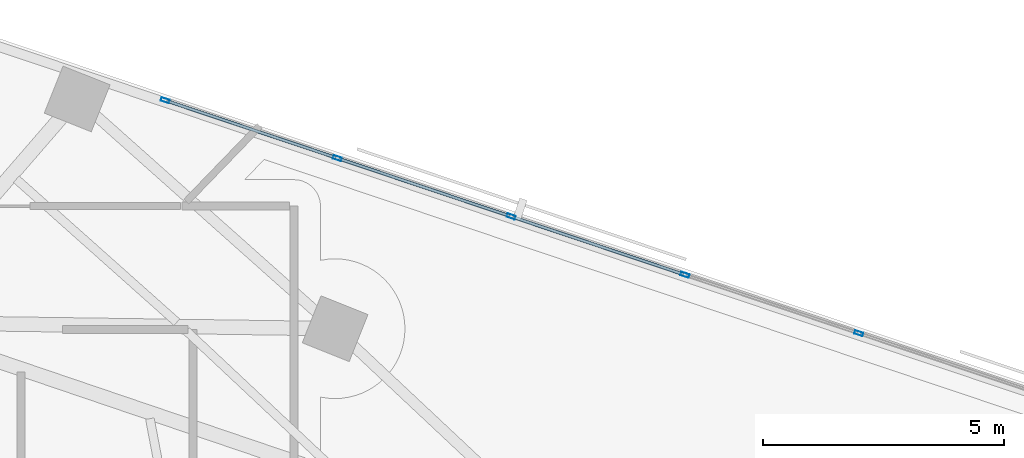
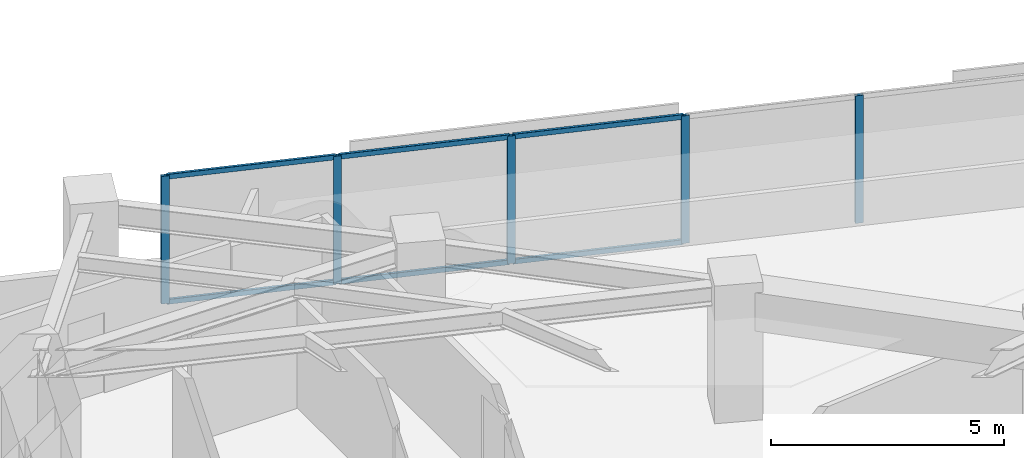
# One storey, part 4 of 13: 11 members, 1 element without a shape of its own.
"""IFC4 building model written with IfcOpenShell, lengths in metres."""

from ifc_helpers import new_model, si_unit, direction, frame, origin, origin_2d, place, context, subcontext, project, spatial, hollow_rectangle, extrude, material, material_profile, profile_set, type_object, element, aggregate, save


model = new_model("IFC4")

# Units and contexts
model_context = context("Model", 3, precision=1e-05, world=origin(), true_north=direction((0.0, 1.0)))
body_context = subcontext(model_context, "Body", "Model", "MODEL_VIEW")
ifc_project = project(units=[si_unit("LENGTHUNIT", "METRE"), si_unit("AREAUNIT", "SQUARE_METRE"), si_unit("VOLUMEUNIT", "CUBIC_METRE"), si_unit("PLANEANGLEUNIT", "RADIAN"), si_unit("MASSUNIT", "GRAM", prefix="KILO")], contexts=[model_context])

# Site, building, storey
site_placement = place(None, origin())
site = spatial("IfcSite", under=ifc_project, at=site_placement, CompositionType="ELEMENT")
building_placement = place(site_placement, origin())
building = spatial("IfcBuilding", under=site, at=building_placement, Name="Narakoshi Arena Tower", CompositionType="ELEMENT")
storey_placement = place(building_placement, frame((0.0, 0.0, 171.89990234375)))
storey = spatial("IfcBuildingStorey", under=building, at=storey_placement, Name="L46", CompositionType="ELEMENT", Elevation=171.89990234375)

# Curtain wall, members
ifc_material = material(Name="Anodised bronze aluminium 6063-T6", Category="aluminium")
curtain_wall_type = type_object("IfcCurtainWallType", Name="CW-HYP-MID", PredefinedType="NOTDEFINED", material=ifc_material)
curtain_wall_placement = place(storey_placement, origin())
curtain_wall = element("IfcCurtainWall", 1, at=curtain_wall_placement, inside=storey, type_object=curtain_wall_type, Name="L46 Folded Hypotenuse Curtain Wall 1-1", PredefinedType="NOTDEFINED")
ifc_material_profile_1 = material_profile(ifc_material, hollow_rectangle(XDim=0.074951171875, YDim=0.179931640625, WallThickness=0.00390625, OuterFilletRadius=0.0048828125, at=origin_2d()), Name="MUL180x75x4")
ifc_profile_set_1 = profile_set([ifc_material_profile_1], Name="Anodised bronze aluminium 6063-T6")
member_type_1 = type_object("IfcMemberType", Name="MEM-MUL-180", PredefinedType="MULLION", material=ifc_profile_set_1)
member_1_placement = place(storey_placement, frame((105.783447265625, 56.272705078125, 0.0), z_axis=(0.0, 0.0, 1.0), x_axis=(-0.318260960253, -0.948003144077, 0.0)))
member_1 = element("IfcMember", 2, at=member_1_placement, type_object=member_type_1, Name="CW-02 mullion 4", PredefinedType="MULLION", context=body_context, shape_type="SweptSolid", body=[
    extrude(hollow_rectangle(XDim=0.074951171875, YDim=0.179931640625, WallThickness=0.00390625, OuterFilletRadius=0.0048828125, at=origin_2d()), origin(), (0.0, 0.0, 1.0), 3.340087890625),
])
member_2_placement = place(storey_placement, frame((102.176025390625, 57.48388671875, 0.0), z_axis=(0.0, 0.0, 1.0), x_axis=(-0.318260960253, -0.948003144077, 0.0)))
member_2 = element("IfcMember", 3, at=member_2_placement, type_object=member_type_1, Name="CW-02 mullion 5", PredefinedType="MULLION", context=body_context, shape_type="SweptSolid", body=[
    extrude(hollow_rectangle(XDim=0.074951171875, YDim=0.179931640625, WallThickness=0.00390625, OuterFilletRadius=0.0048828125, at=origin_2d()), origin(), (0.0, 0.0, 1.0), 3.340087890625),
])
member_3_placement = place(storey_placement, frame((98.568359375, 58.695068359375, 0.0), z_axis=(0.0, 0.0, 1.0), x_axis=(-0.318260960253, -0.948003144077, 0.0)))
member_3 = element("IfcMember", 4, at=member_3_placement, type_object=member_type_1, Name="CW-02 mullion 6", PredefinedType="MULLION", context=body_context, shape_type="SweptSolid", body=[
    extrude(hollow_rectangle(XDim=0.074951171875, YDim=0.179931640625, WallThickness=0.00390625, OuterFilletRadius=0.0048828125, at=origin_2d()), origin(), (0.0, 0.0, 1.0), 3.340087890625),
])
member_4_placement = place(storey_placement, frame((94.960693359375, 59.90625, 0.0), z_axis=(0.0, 0.0, 1.0), x_axis=(-0.318260960253, -0.948003144077, 0.0)))
member_4 = element("IfcMember", 5, at=member_4_placement, type_object=member_type_1, Name="CW-02 mullion 7", PredefinedType="MULLION", context=body_context, shape_type="SweptSolid", body=[
    extrude(hollow_rectangle(XDim=0.074951171875, YDim=0.179931640625, WallThickness=0.00390625, OuterFilletRadius=0.0048828125, at=origin_2d()), origin(), (0.0, 0.0, 1.0), 3.340087890625),
])
member_5_placement = place(storey_placement, frame((91.388671875, 61.10546875, 0.0), z_axis=(0.0, 0.0, 1.0), x_axis=(-0.318260960253, -0.948003144077, 0.0)))
member_5 = element("IfcMember", 6, at=member_5_placement, type_object=member_type_1, Name="CW-02 mullion 8", PredefinedType="MULLION", context=body_context, shape_type="SweptSolid", body=[
    extrude(hollow_rectangle(XDim=0.074951171875, YDim=0.179931640625, WallThickness=0.00390625, OuterFilletRadius=0.0048828125, at=origin_2d()), origin(), (0.0, 0.0, 1.0), 3.340087890625),
])
ifc_material_profile_2 = material_profile(ifc_material, hollow_rectangle(XDim=0.06494140625, YDim=0.1298828125, WallThickness=0.00390625, OuterFilletRadius=0.0048828125, at=origin_2d()), Name="TRN130x65x4")
ifc_profile_set_2 = profile_set([ifc_material_profile_2], Name="Anodised bronze aluminium 6063-T6")
member_type_2 = type_object("IfcMemberType", Name="MEM-TRN-130", PredefinedType="USERDEFINED", material=ifc_profile_set_2)
member_6_placement = place(storey_placement, frame((102.140380859375, 57.495849609375, 0.03271484375), z_axis=(-0.948000451231, 0.318268981314, 0.0), x_axis=(-0.318268981314, -0.948000451231, 0.0)))
member_6 = element("IfcMember", 7, at=member_6_placement, type_object=member_type_2, Name="CW-02 transom 5.1", ObjectType="TRANSOM", PredefinedType="USERDEFINED", context=body_context, shape_type="SweptSolid", body=[
    extrude(hollow_rectangle(XDim=0.06494140625, YDim=0.1298828125, WallThickness=0.00390625, OuterFilletRadius=0.0048828125, at=origin_2d()), origin(), (0.0, 0.0, 1.0), 3.73046875),
])
member_7_placement = place(storey_placement, frame((102.140380859375, 57.495849609375, 3.3076171875), z_axis=(-0.948000451231, 0.318268981314, 0.0), x_axis=(-0.318268981314, -0.948000451231, 0.0)))
member_7 = element("IfcMember", 8, at=member_7_placement, type_object=member_type_2, Name="CW-02 transom 5.2", ObjectType="TRANSOM", PredefinedType="USERDEFINED", context=body_context, shape_type="SweptSolid", body=[
    extrude(hollow_rectangle(XDim=0.06494140625, YDim=0.1298828125, WallThickness=0.00390625, OuterFilletRadius=0.0048828125, at=origin_2d()), origin(), (0.0, 0.0, 1.0), 3.73046875),
])
member_8_placement = place(storey_placement, frame((98.53271484375, 58.70703125, 0.03271484375), z_axis=(-0.948000451231, 0.318268981314, 0.0), x_axis=(-0.318268981314, -0.948000451231, 0.0)))
member_8 = element("IfcMember", 9, at=member_8_placement, type_object=member_type_2, Name="CW-02 transom 6.1", ObjectType="TRANSOM", PredefinedType="USERDEFINED", context=body_context, shape_type="SweptSolid", body=[
    extrude(hollow_rectangle(XDim=0.06494140625, YDim=0.1298828125, WallThickness=0.00390625, OuterFilletRadius=0.0048828125, at=origin_2d()), origin(), (0.0, 0.0, 1.0), 3.73046875),
])
member_9_placement = place(storey_placement, frame((98.53271484375, 58.70703125, 3.3076171875), z_axis=(-0.948000451231, 0.318268981314, 0.0), x_axis=(-0.318268981314, -0.948000451231, 0.0)))
member_9 = element("IfcMember", 10, at=member_9_placement, type_object=member_type_2, Name="CW-02 transom 6.2", ObjectType="TRANSOM", PredefinedType="USERDEFINED", context=body_context, shape_type="SweptSolid", body=[
    extrude(hollow_rectangle(XDim=0.06494140625, YDim=0.1298828125, WallThickness=0.00390625, OuterFilletRadius=0.0048828125, at=origin_2d()), origin(), (0.0, 0.0, 1.0), 3.73046875),
])
member_10_placement = place(storey_placement, frame((94.92529296875, 59.918212890625, 0.03271484375), z_axis=(-0.948006826737, 0.31824999051, 0.0), x_axis=(-0.31824999051, -0.948006826737, 0.0)))
member_10 = element("IfcMember", 11, at=member_10_placement, type_object=member_type_2, Name="CW-02 transom 7.1", ObjectType="TRANSOM", PredefinedType="USERDEFINED", context=body_context, shape_type="SweptSolid", body=[
    extrude(hollow_rectangle(XDim=0.06494140625, YDim=0.1298828125, WallThickness=0.00390625, OuterFilletRadius=0.0048828125, at=origin_2d()), origin(), (0.0, 0.0, 1.0), 3.69287109375),
])
member_11_placement = place(storey_placement, frame((94.92529296875, 59.918212890625, 3.3076171875), z_axis=(-0.948006826737, 0.31824999051, 0.0), x_axis=(-0.31824999051, -0.948006826737, 0.0)))
member_11 = element("IfcMember", 12, at=member_11_placement, type_object=member_type_2, Name="CW-02 transom 7.2", ObjectType="TRANSOM", PredefinedType="USERDEFINED", context=body_context, shape_type="SweptSolid", body=[
    extrude(hollow_rectangle(XDim=0.06494140625, YDim=0.1298828125, WallThickness=0.00390625, OuterFilletRadius=0.0048828125, at=origin_2d()), origin(), (0.0, 0.0, 1.0), 3.69287109375),
])
aggregate(curtain_wall, [member_1, member_2, member_3, member_4, member_5, member_6, member_7, member_8, member_9, member_10, member_11])

save(model, "model.ifc")
